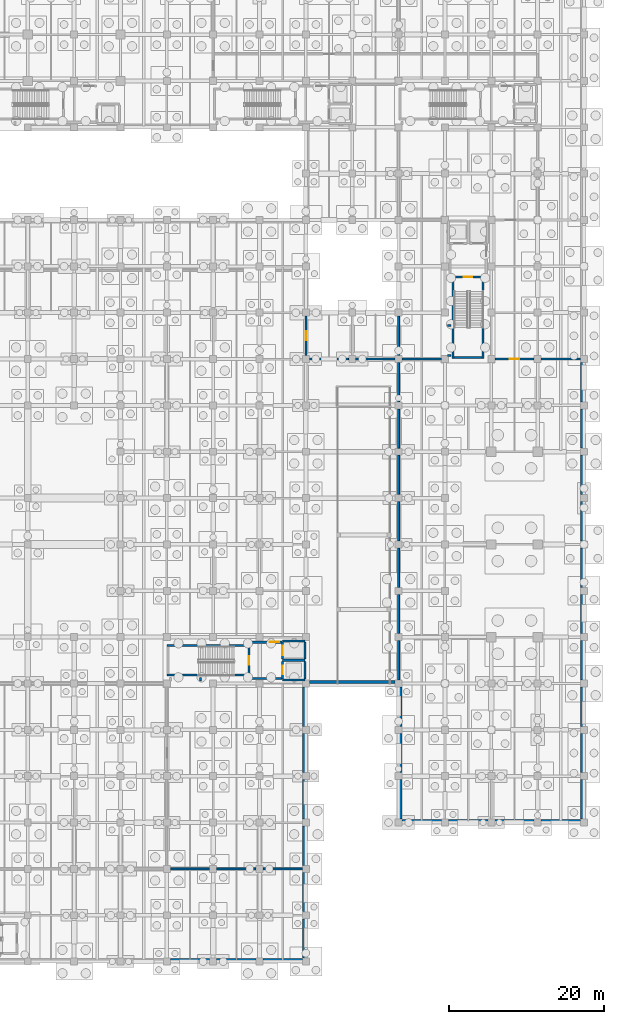
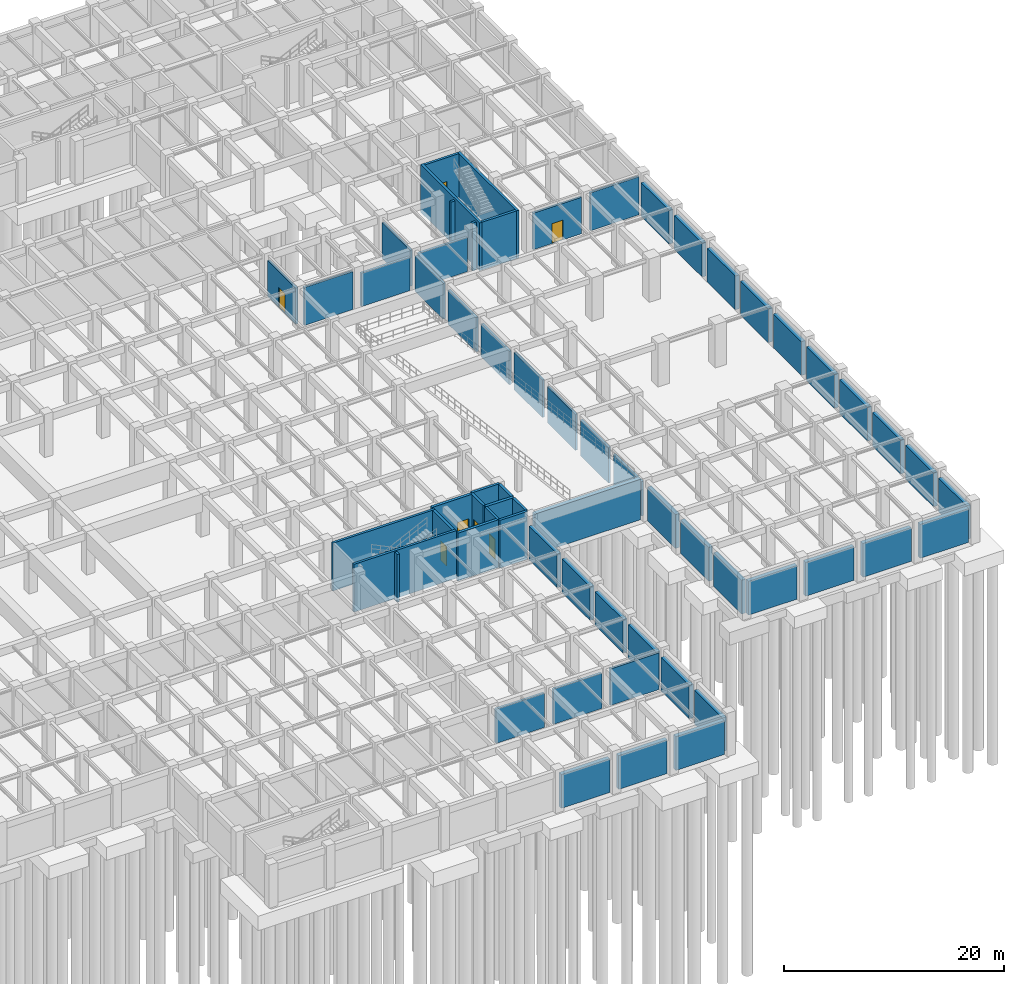
# One storey, part 43 of 54: 63 walls, 7 doors, 7 openings.
"""IFC4 building model written with IfcOpenShell, lengths in metres."""

from ifc_helpers import new_model, si_unit, direction, frame, frame_2d, origin, place, context, subcontext, project, spatial, rectangle, extrude, material, layer, layer_set, type_object, element, fill, save


model = new_model("IFC4")

# Units and contexts
model_context = context("Model", 3, precision=1e-05, world=origin(), true_north=direction((0.0, 1.0)))
body_context = subcontext(model_context, "Body", "Model", "MODEL_VIEW")
ifc_project = project(units=[si_unit("LENGTHUNIT", "METRE"), si_unit("AREAUNIT", "SQUARE_METRE"), si_unit("VOLUMEUNIT", "CUBIC_METRE"), si_unit("PLANEANGLEUNIT", "RADIAN"), si_unit("MASSUNIT", "GRAM", prefix="KILO"), si_unit("THERMODYNAMICTEMPERATUREUNIT", "KELVIN"), si_unit("POWERUNIT", "WATT")], contexts=[model_context])

# Site, building, storey
site_placement = place(None, origin())
site = spatial("IfcSite", under=ifc_project, at=site_placement, CompositionType="ELEMENT")
building_placement = place(site_placement, origin())
building = spatial("IfcBuilding", under=site, at=building_placement, Name="Phaisarnlok Congress Hotel", CompositionType="ELEMENT")
storey_placement = place(building_placement, frame((0.0, 0.0, -4.800048828125)))
storey = spatial("IfcBuildingStorey", under=building, at=storey_placement, Name="B01", CompositionType="ELEMENT", Elevation=-4.800048828125)

# Walls
ifc_material_1 = material(Name="Concrete C40/50", Category="concrete")
ifc_layer_1 = layer(ifc_material_1, 0.419921875, Name="Concrete C40/50")
ifc_layer_set_1 = layer_set([ifc_layer_1], Name="Concrete C40/50")
wall_type_1 = type_object("IfcWallType", Name="WL-EXT-420", PredefinedType="SOLIDWALL", material=ifc_layer_set_1)
for number, where, z_axis, x_axis, name in (
    (1, (126.455078125, 0.2099609375, 0.0), (0.0, 0.0, 1.0), (1.0, 0.0, 0.0), "Exterior wall EW-08 (B01)"),
    (2, (132.455078125, 0.2099609375, 0.0), (0.0, 0.0, 1.0), (1.0, 0.0, 0.0), "Exterior wall EW-08 (B01)"),
    (3, (138.455078125, 0.2099609375, 0.0), (0.0, 0.0, 1.0), (1.0, 0.0, 0.0), "Exterior wall EW-08 (B01)"),
    (4, (143.7900390625, 0.455078125, 0.0), (0.0, 0.0, 1.0), (0.0, 1.0, 0.0), "Exterior wall EW-08 (B01)"),
    (5, (143.7900390625, 6.455078125, 0.0), (0.0, 0.0, 1.0), (0.0, 1.0, 0.0), "Exterior wall EW-08 (B01)"),
    (6, (143.7900390625, 12.455078125, 0.0), (0.0, 0.0, 1.0), (0.0, 1.0, 0.0), "Exterior wall EW-08 (B01)"),
    (7, (143.7900390625, 18.455078125, 0.0), (0.0, 0.0, 1.0), (0.0, 1.0, 0.0), "Exterior wall EW-08 (B01)"),
    (8, (143.7900390625, 24.455078125, 0.0), (0.0, 0.0, 1.0), (0.0, 1.0, 0.0), "Exterior wall EW-08 (B01)"),
    (9, (143.7900390625, 30.455078125, 0.0), (0.0, 0.0, 1.0), (0.0, 1.0, 0.0), "Exterior wall EW-08 (B01)"),
):
    element("IfcWall", number, at=place(storey_placement, frame(where, z_axis=z_axis, x_axis=x_axis)), inside=storey, type_object=wall_type_1, Name=name, PredefinedType="SOLIDWALL", context=body_context, shape_type="SweptSolid", body=[
        extrude(rectangle(XDim=5.08984375, YDim=0.419921875, at=frame_2d((2.544921875, 0.0))), origin(), (0.0, 0.0, 1.0), 3.75),
    ])
wall_1_placement = place(storey_placement, frame((144.455078125, 36.2099609375, 0.0), z_axis=(0.0, 0.0, 1.0), x_axis=(1.0, 0.0, 0.0)))
element("IfcWall", 10, at=wall_1_placement, inside=storey, type_object=wall_type_1, Name="Exterior wall EW-08 (B01)", PredefinedType="SOLIDWALL", context=body_context, shape_type="SweptSolid", body=[
    extrude(rectangle(XDim=11.08984375, YDim=0.419921875, at=frame_2d((5.544921875, 0.0))), origin(), (0.0, 0.0, 1.0), 4.5),
])
for number, where, z_axis, x_axis, name in (
    (11, (156.2099609375, 35.544921875, 0.0), (0.0, 0.0, 1.0), (0.0, -1.0, 0.0), "Exterior wall EW-08 (B01)"),
    (12, (156.2099609375, 29.544921875, 0.0), (0.0, 0.0, 1.0), (0.0, -1.0, 0.0), "Exterior wall EW-08 (B01)"),
    (13, (156.2099609375, 23.544921875, 0.0), (0.0, 0.0, 1.0), (0.0, -1.0, 0.0), "Exterior wall EW-08 (B01)"),
    (14, (156.455078125, 18.2099609375, 0.0), (0.0, 0.0, 1.0), (1.0, 0.0, 0.0), "Exterior wall EW-08 (B01)"),
    (15, (162.455078125, 18.2099609375, 0.0), (0.0, 0.0, 1.0), (1.0, 0.0, 0.0), "Exterior wall EW-08 (B01)"),
    (16, (168.455078125, 18.2099609375, 0.0), (0.0, 0.0, 1.0), (1.0, 0.0, 0.0), "Exterior wall EW-08 (B01)"),
    (17, (174.455078125, 18.2099609375, 0.0), (0.0, 0.0, 1.0), (1.0, 0.0, 0.0), "Exterior wall EW-08 (B01)"),
    (18, (179.7900390625, 18.455078125, 0.0), (0.0, 0.0, 1.0), (0.0, 1.0, 0.0), "Exterior wall EW-08 (B01)"),
    (19, (179.7900390625, 24.455078125, 0.0), (0.0, 0.0, 1.0), (0.0, 1.0, 0.0), "Exterior wall EW-08 (B01)"),
    (20, (179.7900390625, 30.455078125, 0.0), (0.0, 0.0, 1.0), (0.0, 1.0, 0.0), "Exterior wall EW-08 (B01)"),
    (21, (179.7900390625, 36.455078125, 0.0), (0.0, 0.0, 1.0), (0.0, 1.0, 0.0), "Exterior wall EW-08 (B01)"),
    (22, (179.7900390625, 42.455078125, 0.0), (0.0, 0.0, 1.0), (0.0, 1.0, 0.0), "Exterior wall EW-08 (B01)"),
    (23, (179.7900390625, 48.455078125, 0.0), (0.0, 0.0, 1.0), (0.0, 1.0, 0.0), "Exterior wall EW-08 (B01)"),
    (24, (179.7900390625, 54.455078125, 0.0), (0.0, 0.0, 1.0), (0.0, 1.0, 0.0), "Exterior wall EW-08 (B01)"),
    (25, (179.7900390625, 60.455078125, 0.0), (0.0, 0.0, 1.0), (0.0, 1.0, 0.0), "Exterior wall EW-08 (B01)"),
    (26, (179.7900390625, 66.455078125, 0.0), (0.0, 0.0, 1.0), (0.0, 1.0, 0.0), "Exterior wall EW-08 (B01)"),
    (27, (179.7900390625, 72.455078125, 0.0), (0.0, 0.0, 1.0), (0.0, 1.0, 0.0), "Exterior wall EW-08 (B01)"),
):
    element("IfcWall", number, at=place(storey_placement, frame(where, z_axis=z_axis, x_axis=x_axis)), inside=storey, type_object=wall_type_1, Name=name, PredefinedType="SOLIDWALL", context=body_context, shape_type="SweptSolid", body=[
        extrude(rectangle(XDim=5.08984375, YDim=0.419921875, at=frame_2d((2.544921875, 0.0))), origin(), (0.0, 0.0, 1.0), 3.75),
    ])

# Wall, opening, door
ifc_layer_2 = layer(ifc_material_1, 0.239990234375, Name="Concrete C40/50")
ifc_layer_set_2 = layer_set([ifc_layer_2], Name="Concrete C40/50")
wall_type_2 = type_object("IfcWallType", Name="WL-INT-240", PredefinedType="PARTITIONING", material=ifc_layer_set_2)
wall_2_placement = place(storey_placement, frame((144.0, 78.455078125, 0.0), z_axis=(0.0, 0.0, 1.0), x_axis=(0.0, 1.0, 0.0)))
wall_2 = element("IfcWall", 28, at=wall_2_placement, inside=storey, type_object=wall_type_2, Name="Interior partition wall IW-01 (B01)", PredefinedType="PARTITIONING", context=body_context, shape_type="SweptSolid", body=[
    extrude(rectangle(XDim=5.08984375, YDim=0.239990234375, at=frame_2d((2.544921875, 0.0))), origin(), (0.0, 0.0, 1.0), 4.0),
])
opening_1_placement = place(wall_2_placement, frame((1.945068359375, 0.0, 0.0)))
opening_1 = element("IfcOpeningElement", 29, at=opening_1_placement, cuts=wall_2, Name="Opening D-0018", PredefinedType="OPENING", context=body_context, shape_type="SweptSolid", body=[
    extrude(rectangle(XDim=1.199951171875, YDim=2.199951171875, at=frame_2d((0.60009765625, 1.10009765625))), frame((0.0, 0.1298828125, 0.0), z_axis=(0.0, -1.0, 0.0), x_axis=(1.0, 0.0, 0.0)), (0.0, 0.0, 1.0), 0.260009765625),
])
ifc_material_2 = material(Name="Fire-Rated Steel Frame & Timber Leaf", Category="steel")
door_type_1 = type_object("IfcDoorType", Name="DR-FD60-1200", OperationType="NOTDEFINED", PredefinedType="DOOR", material=ifc_material_2)
door_1_placement = place(opening_1_placement, origin())
door_1 = element("IfcDoor", 30, at=door_1_placement, inside=storey, type_object=door_type_1, Name="Interior door D-0018 (B01)", OperationType="SINGLE_SWING_LEFT", OverallHeight=2.199951171875, OverallWidth=1.199951171875, PredefinedType="DOOR", context=body_context, shape_type="SweptSolid", body=[
    extrude(rectangle(XDim=1.199951171875, YDim=2.199951171875, at=frame_2d((0.60009765625, 1.10009765625))), frame((0.0, 0.02490234375, 0.0), z_axis=(0.0, -1.0, 0.0), x_axis=(1.0, 0.0, 0.0)), (0.0, 0.0, 1.0), 0.050048828125),
])
fill(opening_1, door_1)

# Walls
wall_3_placement = place(storey_placement, frame((156.0, 36.455078125, 0.0), z_axis=(0.0, 0.0, 1.0), x_axis=(0.0, 1.0, 0.0)))
element("IfcWall", 31, at=wall_3_placement, inside=storey, type_object=wall_type_2, Name="Interior partition wall IW-01 (B01)", PredefinedType="PARTITIONING", context=body_context, shape_type="SweptSolid", body=[
    extrude(rectangle(XDim=5.08984375, YDim=0.239990234375, at=frame_2d((2.544921875, 0.0))), origin(), (0.0, 0.0, 1.0), 3.800048828125),
])
wall_4_placement = place(storey_placement, frame((156.0, 42.455078125, 0.0), z_axis=(0.0, 0.0, 1.0), x_axis=(0.0, 1.0, 0.0)))
element("IfcWall", 32, at=wall_4_placement, inside=storey, type_object=wall_type_2, Name="Interior partition wall IW-01 (B01)", PredefinedType="PARTITIONING", context=body_context, shape_type="SweptSolid", body=[
    extrude(rectangle(XDim=5.08984375, YDim=0.239990234375, at=frame_2d((2.544921875, 0.0))), origin(), (0.0, 0.0, 1.0), 3.949951171875),
])
wall_5_placement = place(storey_placement, frame((156.0, 48.455078125, 0.0), z_axis=(0.0, 0.0, 1.0), x_axis=(0.0, 1.0, 0.0)))
element("IfcWall", 33, at=wall_5_placement, inside=storey, type_object=wall_type_2, Name="Interior partition wall IW-01 (B01)", PredefinedType="PARTITIONING", context=body_context, shape_type="SweptSolid", body=[
    extrude(rectangle(XDim=5.08984375, YDim=0.239990234375, at=frame_2d((2.544921875, 0.0))), origin(), (0.0, 0.0, 1.0), 4.0),
])
wall_6_placement = place(storey_placement, frame((156.0, 54.455078125, 0.0), z_axis=(0.0, 0.0, 1.0), x_axis=(0.0, 1.0, 0.0)))
element("IfcWall", 34, at=wall_6_placement, inside=storey, type_object=wall_type_2, Name="Interior partition wall IW-01 (B01)", PredefinedType="PARTITIONING", context=body_context, shape_type="SweptSolid", body=[
    extrude(rectangle(XDim=5.08984375, YDim=0.239990234375, at=frame_2d((2.544921875, 0.0))), origin(), (0.0, 0.0, 1.0), 4.16015625),
])
wall_7_placement = place(storey_placement, frame((156.0, 60.455078125, 0.0), z_axis=(0.0, 0.0, 1.0), x_axis=(0.0, 1.0, 0.0)))
element("IfcWall", 35, at=wall_7_placement, inside=storey, type_object=wall_type_2, Name="Interior partition wall IW-01 (B01)", PredefinedType="PARTITIONING", context=body_context, shape_type="SweptSolid", body=[
    extrude(rectangle(XDim=5.08984375, YDim=0.239990234375, at=frame_2d((2.544921875, 0.0))), origin(), (0.0, 0.0, 1.0), 3.699951171875),
])
wall_8_placement = place(storey_placement, frame((156.0, 66.455078125, 0.0), z_axis=(0.0, 0.0, 1.0), x_axis=(0.0, 1.0, 0.0)))
element("IfcWall", 36, at=wall_8_placement, inside=storey, type_object=wall_type_2, Name="Interior partition wall IW-01 (B01)", PredefinedType="PARTITIONING", context=body_context, shape_type="SweptSolid", body=[
    extrude(rectangle(XDim=5.08984375, YDim=0.239990234375, at=frame_2d((2.544921875, 0.0))), origin(), (0.0, 0.0, 1.0), 3.800048828125),
])
wall_9_placement = place(storey_placement, frame((156.0, 72.455078125, 0.0), z_axis=(0.0, 0.0, 1.0), x_axis=(0.0, 1.0, 0.0)))
element("IfcWall", 37, at=wall_9_placement, inside=storey, type_object=wall_type_2, Name="Interior partition wall IW-01 (B01)", PredefinedType="PARTITIONING", context=body_context, shape_type="SweptSolid", body=[
    extrude(rectangle(XDim=5.08984375, YDim=0.239990234375, at=frame_2d((2.544921875, 0.0))), origin(), (0.0, 0.0, 1.0), 3.949951171875),
])
wall_10_placement = place(storey_placement, frame((156.0, 78.455078125, 0.0), z_axis=(0.0, 0.0, 1.0), x_axis=(0.0, 1.0, 0.0)))
element("IfcWall", 38, at=wall_10_placement, inside=storey, type_object=wall_type_2, Name="Interior partition wall IW-01 (B01)", PredefinedType="PARTITIONING", context=body_context, shape_type="SweptSolid", body=[
    extrude(rectangle(XDim=5.08984375, YDim=0.239990234375, at=frame_2d((2.544921875, 0.0))), origin(), (0.0, 0.0, 1.0), 4.0),
])
wall_11_placement = place(storey_placement, frame((126.455078125, 12.0, 0.0), z_axis=(0.0, 0.0, 1.0), x_axis=(1.0, 0.0, 0.0)))
element("IfcWall", 39, at=wall_11_placement, inside=storey, type_object=wall_type_2, Name="Interior partition wall IW-01 (B01)", PredefinedType="PARTITIONING", context=body_context, shape_type="SweptSolid", body=[
    extrude(rectangle(XDim=5.08984375, YDim=0.239990234375, at=frame_2d((2.544921875, 0.0))), origin(), (0.0, 0.0, 1.0), 3.800048828125),
])
wall_12_placement = place(storey_placement, frame((132.455078125, 12.0, 0.0), z_axis=(0.0, 0.0, 1.0), x_axis=(1.0, 0.0, 0.0)))
element("IfcWall", 40, at=wall_12_placement, inside=storey, type_object=wall_type_2, Name="Interior partition wall IW-01 (B01)", PredefinedType="PARTITIONING", context=body_context, shape_type="SweptSolid", body=[
    extrude(rectangle(XDim=5.08984375, YDim=0.239990234375, at=frame_2d((2.544921875, 0.0))), origin(), (0.0, 0.0, 1.0), 3.900146484375),
])
wall_13_placement = place(storey_placement, frame((138.455078125, 12.0, 0.0), z_axis=(0.0, 0.0, 1.0), x_axis=(1.0, 0.0, 0.0)))
element("IfcWall", 41, at=wall_13_placement, inside=storey, type_object=wall_type_2, Name="Interior partition wall IW-01 (B01)", PredefinedType="PARTITIONING", context=body_context, shape_type="SweptSolid", body=[
    extrude(rectangle(XDim=5.08984375, YDim=0.239990234375, at=frame_2d((2.544921875, 0.0))), origin(), (0.0, 0.0, 1.0), 4.050048828125),
])
wall_14_placement = place(storey_placement, frame((144.455078125, 78.0, 0.0), z_axis=(0.0, 0.0, 1.0), x_axis=(1.0, 0.0, 0.0)))
element("IfcWall", 42, at=wall_14_placement, inside=storey, type_object=wall_type_2, Name="Interior partition wall IW-01 (B01)", PredefinedType="PARTITIONING", context=body_context, shape_type="SweptSolid", body=[
    extrude(rectangle(XDim=5.08984375, YDim=0.239990234375, at=frame_2d((2.544921875, 0.0))), origin(), (0.0, 0.0, 1.0), 4.2099609375),
])
wall_15_placement = place(storey_placement, frame((150.455078125, 78.0, 0.0), z_axis=(0.0, 0.0, 1.0), x_axis=(1.0, 0.0, 0.0)))
element("IfcWall", 43, at=wall_15_placement, inside=storey, type_object=wall_type_2, Name="Interior partition wall IW-01 (B01)", PredefinedType="PARTITIONING", context=body_context, shape_type="SweptSolid", body=[
    extrude(rectangle(XDim=5.08984375, YDim=0.239990234375, at=frame_2d((2.544921875, 0.0))), origin(), (0.0, 0.0, 1.0), 3.699951171875),
])
wall_16_placement = place(storey_placement, frame((156.455078125, 78.0, 0.0), z_axis=(0.0, 0.0, 1.0), x_axis=(1.0, 0.0, 0.0)))
element("IfcWall", 44, at=wall_16_placement, inside=storey, type_object=wall_type_2, Name="Interior partition wall IW-01 (B01)", PredefinedType="PARTITIONING", context=body_context, shape_type="SweptSolid", body=[
    extrude(rectangle(XDim=5.08984375, YDim=0.239990234375, at=frame_2d((2.544921875, 0.0))), origin(), (0.0, 0.0, 1.0), 3.800048828125),
])

# Wall, opening, door
wall_17_placement = place(storey_placement, frame((168.455078125, 78.0, 0.0), z_axis=(0.0, 0.0, 1.0), x_axis=(1.0, 0.0, 0.0)))
wall_17 = element("IfcWall", 45, at=wall_17_placement, inside=storey, type_object=wall_type_2, Name="Interior partition wall IW-01 (B01)", PredefinedType="PARTITIONING", context=body_context, shape_type="SweptSolid", body=[
    extrude(rectangle(XDim=5.08984375, YDim=0.239990234375, at=frame_2d((2.544921875, 0.0))), origin(), (0.0, 0.0, 1.0), 4.050048828125),
])
opening_2_placement = place(wall_17_placement, frame((1.945068359375, 0.0, 0.0)))
opening_2 = element("IfcOpeningElement", 46, at=opening_2_placement, cuts=wall_17, Name="Opening D-0022", PredefinedType="OPENING", context=body_context, shape_type="SweptSolid", body=[
    extrude(rectangle(XDim=1.199951171875, YDim=2.199951171875, at=frame_2d((0.60009765625, 1.10009765625))), frame((0.0, 0.1298828125, 0.0), z_axis=(0.0, -1.0, 0.0), x_axis=(1.0, 0.0, 0.0)), (0.0, 0.0, 1.0), 0.260009765625),
])
door_2_placement = place(opening_2_placement, origin())
door_2 = element("IfcDoor", 47, at=door_2_placement, inside=storey, type_object=door_type_1, Name="Interior door D-0022 (B01)", OperationType="SINGLE_SWING_LEFT", OverallHeight=2.199951171875, OverallWidth=1.199951171875, PredefinedType="DOOR", context=body_context, shape_type="SweptSolid", body=[
    extrude(rectangle(XDim=1.199951171875, YDim=2.199951171875, at=frame_2d((0.60009765625, 1.10009765625))), frame((0.0, 0.02490234375, 0.0), z_axis=(0.0, -1.0, 0.0), x_axis=(1.0, 0.0, 0.0)), (0.0, 0.0, 1.0), 0.050048828125),
])
fill(opening_2, door_2)

# Walls
wall_18_placement = place(storey_placement, frame((174.455078125, 78.0, 0.0), z_axis=(0.0, 0.0, 1.0), x_axis=(1.0, 0.0, 0.0)))
element("IfcWall", 48, at=wall_18_placement, inside=storey, type_object=wall_type_2, Name="Interior partition wall IW-01 (B01)", PredefinedType="PARTITIONING", context=body_context, shape_type="SweptSolid", body=[
    extrude(rectangle(XDim=5.08984375, YDim=0.239990234375, at=frame_2d((2.544921875, 0.0))), origin(), (0.0, 0.0, 1.0), 4.2099609375),
])
ifc_material_3 = material(Name="Concrete C50/60", Category="concrete")
ifc_layer_3 = layer(ifc_material_3, 0.260009765625, Name="Concrete C50/60")
ifc_layer_set_3 = layer_set([ifc_layer_3], Name="Concrete C50/60")
wall_type_3 = type_object("IfcWallType", Name="WL-SHR-260", PredefinedType="SHEAR", material=ifc_layer_set_3)
for number, where, z_axis, x_axis, name in (
    (49, (163.070068359375, 78.0400390625, -0.5), (0.0, 0.0, 1.0), (0.0, 1.0, 0.0), "Stair shaft shear wall SW-04 (CORE-3 B01)"),
    (50, (166.929931640625, 78.0400390625, -0.5), (0.0, 0.0, 1.0), (0.0, 1.0, 0.0), "Stair shaft shear wall SW-04 (CORE-3 B01)"),
):
    element("IfcWall", number, at=place(storey_placement, frame(where, z_axis=z_axis, x_axis=x_axis)), inside=storey, type_object=wall_type_3, Name=name, PredefinedType="SHEAR", context=body_context, shape_type="SweptSolid", body=[
        extrude(rectangle(XDim=10.719970703125, YDim=0.260009765625, at=frame_2d((5.35986328125, 0.0))), origin(), (0.0, 0.0, 1.0), 5.300048828125),
    ])
wall_19_placement = place(storey_placement, frame((163.199951171875, 78.169921875, -0.5), z_axis=(0.0, 0.0, 1.0), x_axis=(1.0, 0.0, 0.0)))
element("IfcWall", 51, at=wall_19_placement, inside=storey, type_object=wall_type_3, Name="Stair shaft shear wall SW-04 (CORE-3 B01)", PredefinedType="SHEAR", context=body_context, shape_type="SweptSolid", body=[
    extrude(rectangle(XDim=3.60009765625, YDim=0.260009765625, at=frame_2d((1.800048828125, 0.0))), origin(), (0.0, 0.0, 1.0), 5.300048828125),
])

# Wall, opening, door
wall_20_placement = place(storey_placement, frame((163.199951171875, 88.6298828125, -0.5), z_axis=(0.0, 0.0, 1.0), x_axis=(1.0, 0.0, 0.0)))
wall_20 = element("IfcWall", 52, at=wall_20_placement, inside=storey, type_object=wall_type_3, Name="Stair shaft shear wall SW-04 (CORE-3 B01)", PredefinedType="SHEAR", context=body_context, shape_type="SweptSolid", body=[
    extrude(rectangle(XDim=3.60009765625, YDim=0.260009765625, at=frame_2d((1.800048828125, 0.0))), origin(), (0.0, 0.0, 1.0), 5.300048828125),
])
opening_3_placement = place(wall_20_placement, frame((1.25, 0.0, 0.5)))
opening_3 = element("IfcOpeningElement", 53, at=opening_3_placement, cuts=wall_20, Name="Opening FD-061", PredefinedType="OPENING", context=body_context, shape_type="SweptSolid", body=[
    extrude(rectangle(XDim=1.10009765625, YDim=2.14990234375, at=frame_2d((0.550048828125, 1.074951171875))), frame((0.0, 0.14013671875, 0.0), z_axis=(0.0, -1.0, 0.0), x_axis=(1.0, 0.0, 0.0)), (0.0, 0.0, 1.0), 0.280029296875),
])
door_type_2 = type_object("IfcDoorType", Name="DR-FD60-1100", OperationType="NOTDEFINED", PredefinedType="DOOR", material=ifc_material_2)
door_3_placement = place(opening_3_placement, origin())
door_3 = element("IfcDoor", 54, at=door_3_placement, inside=storey, type_object=door_type_2, Name="Stair enclosure fire door FD-061 (B01)", OperationType="SINGLE_SWING_RIGHT", OverallHeight=2.14990234375, OverallWidth=1.10009765625, PredefinedType="DOOR", context=body_context, shape_type="SweptSolid", body=[
    extrude(rectangle(XDim=1.10009765625, YDim=2.14990234375, at=frame_2d((0.550048828125, 1.074951171875))), frame((0.0, 0.02490234375, 0.0), z_axis=(0.0, -1.0, 0.0), x_axis=(1.0, 0.0, 0.0)), (0.0, 0.0, 1.0), 0.050048828125),
])
fill(opening_3, door_3)

# Walls
for number, where, z_axis, x_axis, name in (
    (55, (162.330078125, 78.469970703125, -0.5), (0.0, 0.0, 1.0), (1.0, 0.0, 0.0), "Service riser shaft wall SW-04 (CORE-3 B01)"),
    (56, (162.330078125, 82.330078125, -0.5), (0.0, 0.0, 1.0), (1.0, 0.0, 0.0), "Service riser shaft wall SW-04 (CORE-3 B01)"),
):
    element("IfcWall", number, at=place(storey_placement, frame(where, z_axis=z_axis, x_axis=x_axis)), inside=storey, type_object=wall_type_3, Name=name, PredefinedType="SHEAR", context=body_context, shape_type="SweptSolid", body=[
        extrude(rectangle(XDim=0.43994140625, YDim=0.260009765625, at=frame_2d((0.219970703125, 0.0))), origin(), (0.0, 0.0, 1.0), 5.300048828125),
    ])
for number, where, z_axis, x_axis, name in (
    (57, (126.0400390625, 37.070068359375, -0.5), (0.0, 0.0, 1.0), (1.0, 0.0, 0.0), "Stair shaft shear wall SW-04 (CORE-6 B01)"),
    (58, (126.0400390625, 40.929931640625, -0.5), (0.0, 0.0, 1.0), (1.0, 0.0, 0.0), "Stair shaft shear wall SW-04 (CORE-6 B01)"),
):
    element("IfcWall", number, at=place(storey_placement, frame(where, z_axis=z_axis, x_axis=x_axis)), inside=storey, type_object=wall_type_3, Name=name, PredefinedType="SHEAR", context=body_context, shape_type="SweptSolid", body=[
        extrude(rectangle(XDim=10.719970703125, YDim=0.260009765625, at=frame_2d((5.35986328125, 0.0))), origin(), (0.0, 0.0, 1.0), 5.300048828125),
    ])

# Wall, opening, door
wall_21_placement = place(storey_placement, frame((136.6298828125, 37.199951171875, -0.5), z_axis=(0.0, 0.0, 1.0), x_axis=(0.0, 1.0, 0.0)))
wall_21 = element("IfcWall", 59, at=wall_21_placement, inside=storey, type_object=wall_type_3, Name="Stair shaft shear wall SW-04 (CORE-6 B01)", PredefinedType="SHEAR", context=body_context, shape_type="SweptSolid", body=[
    extrude(rectangle(XDim=3.60009765625, YDim=0.260009765625, at=frame_2d((1.800048828125, 0.0))), origin(), (0.0, 0.0, 1.0), 5.300048828125),
])
opening_4_placement = place(wall_21_placement, frame((1.25, 0.0, 0.5)))
opening_4 = element("IfcOpeningElement", 60, at=opening_4_placement, cuts=wall_21, Name="Opening FD-133", PredefinedType="OPENING", context=body_context, shape_type="SweptSolid", body=[
    extrude(rectangle(XDim=1.10009765625, YDim=2.14990234375, at=frame_2d((0.550048828125, 1.074951171875))), frame((0.0, 0.14013671875, 0.0), z_axis=(0.0, -1.0, 0.0), x_axis=(1.0, 0.0, 0.0)), (0.0, 0.0, 1.0), 0.280029296875),
])
door_4_placement = place(opening_4_placement, origin())
door_4 = element("IfcDoor", 61, at=door_4_placement, inside=storey, type_object=door_type_2, Name="Stair enclosure fire door FD-133 (B01)", OperationType="SINGLE_SWING_RIGHT", OverallHeight=2.14990234375, OverallWidth=1.10009765625, PredefinedType="DOOR", context=body_context, shape_type="SweptSolid", body=[
    extrude(rectangle(XDim=1.10009765625, YDim=2.14990234375, at=frame_2d((0.550048828125, 1.074951171875))), frame((0.0, 0.02490234375, 0.0), z_axis=(0.0, -1.0, 0.0), x_axis=(1.0, 0.0, 0.0)), (0.0, 0.0, 1.0), 0.050048828125),
])
fill(opening_4, door_4)

# Walls
wall_22_placement = place(storey_placement, frame((140.969970703125, 36.469970703125, -0.5), z_axis=(0.0, 0.0, 1.0), x_axis=(1.0, 0.0, 0.0)))
element("IfcWall", 62, at=wall_22_placement, inside=storey, type_object=wall_type_3, Name="Lift shaft shear wall SW-04 (LF-CP2 B01)", PredefinedType="SHEAR", context=body_context, shape_type="SweptSolid", body=[
    extrude(rectangle(XDim=2.909912109375, YDim=0.260009765625, at=frame_2d((1.455078125, 0.0))), origin(), (0.0, 0.0, 1.0), 5.300048828125),
])
wall_23_placement = place(storey_placement, frame((143.8798828125, 36.60009765625, -0.5), z_axis=(0.0, 0.0, 1.0), x_axis=(0.0, 1.0, 0.0)))
element("IfcWall", 63, at=wall_23_placement, inside=storey, type_object=wall_type_3, Name="Lift shaft shear wall SW-04 (LF-CP2 B01)", PredefinedType="SHEAR", context=body_context, shape_type="SweptSolid", body=[
    extrude(rectangle(XDim=2.25, YDim=0.260009765625, at=frame_2d((1.125, 0.0))), origin(), (0.0, 0.0, 1.0), 5.300048828125),
])

# Wall, opening, door
wall_24_placement = place(storey_placement, frame((140.969970703125, 36.60009765625, -0.5), z_axis=(0.0, 0.0, 1.0), x_axis=(0.0, 1.0, 0.0)))
wall_24 = element("IfcWall", 64, at=wall_24_placement, inside=storey, type_object=wall_type_3, Name="Lift shaft front wall SW-04 (LF-CP2 B01)", PredefinedType="SHEAR", context=body_context, shape_type="SweptSolid", body=[
    extrude(rectangle(XDim=2.25, YDim=0.260009765625, at=frame_2d((1.125, 0.0))), origin(), (0.0, 0.0, 1.0), 5.300048828125),
])
opening_5_placement = place(wall_24_placement, frame((0.574951171875, 0.0, 0.5)))
opening_5 = element("IfcOpeningElement", 65, at=opening_5_placement, cuts=wall_24, Name="Opening LD-118", PredefinedType="OPENING", context=body_context, shape_type="SweptSolid", body=[
    extrude(rectangle(XDim=1.10009765625, YDim=2.199951171875, at=frame_2d((0.550048828125, 1.10009765625))), frame((0.0, 0.14013671875, 0.0), z_axis=(0.0, -1.0, 0.0), x_axis=(1.0, 0.0, 0.0)), (0.0, 0.0, 1.0), 0.280029296875),
])
ifc_material_4 = material(Name="Brushed Stainless Steel Grade 304", Category="steel")
door_type_3 = type_object("IfcDoorType", Name="DR-LD-1100", OperationType="DOUBLE_DOOR_SLIDING", PredefinedType="DOOR", material=ifc_material_4)
door_5_placement = place(opening_5_placement, origin())
door_5 = element("IfcDoor", 66, at=door_5_placement, inside=storey, type_object=door_type_3, Name="Lift landing sliding door LD-118 (LF-CP2 B01)", OperationType="DOUBLE_DOOR_SLIDING", OverallHeight=2.199951171875, OverallWidth=1.10009765625, PredefinedType="DOOR", context=body_context, shape_type="SweptSolid", body=[
    extrude(rectangle(XDim=1.10009765625, YDim=2.199951171875, at=frame_2d((0.550048828125, 1.10009765625))), frame((0.0, 0.02490234375, 0.0), z_axis=(0.0, -1.0, 0.0), x_axis=(1.0, 0.0, 0.0)), (0.0, 0.0, 1.0), 0.050048828125),
])
fill(opening_5, door_5)

# Walls
wall_25_placement = place(storey_placement, frame((140.969970703125, 41.530029296875, -0.5), z_axis=(0.0, 0.0, 1.0), x_axis=(1.0, 0.0, 0.0)))
element("IfcWall", 67, at=wall_25_placement, inside=storey, type_object=wall_type_3, Name="Lift shaft shear wall SW-04 (LF-SV2 B01)", PredefinedType="SHEAR", context=body_context, shape_type="SweptSolid", body=[
    extrude(rectangle(XDim=2.909912109375, YDim=0.260009765625, at=frame_2d((1.455078125, 0.0))), origin(), (0.0, 0.0, 1.0), 5.300048828125),
])
wall_26_placement = place(storey_placement, frame((143.8798828125, 39.14990234375, -0.5), z_axis=(0.0, 0.0, 1.0), x_axis=(0.0, 1.0, 0.0)))
element("IfcWall", 68, at=wall_26_placement, inside=storey, type_object=wall_type_3, Name="Lift shaft shear wall SW-04 (LF-SV2 B01)", PredefinedType="SHEAR", context=body_context, shape_type="SweptSolid", body=[
    extrude(rectangle(XDim=2.25, YDim=0.260009765625, at=frame_2d((1.125, 0.0))), origin(), (0.0, 0.0, 1.0), 5.300048828125),
])

# Wall, opening, door
wall_27_placement = place(storey_placement, frame((140.969970703125, 39.14990234375, -0.5), z_axis=(0.0, 0.0, 1.0), x_axis=(0.0, 1.0, 0.0)))
wall_27 = element("IfcWall", 69, at=wall_27_placement, inside=storey, type_object=wall_type_3, Name="Lift shaft front wall SW-04 (LF-SV2 B01)", PredefinedType="SHEAR", context=body_context, shape_type="SweptSolid", body=[
    extrude(rectangle(XDim=2.25, YDim=0.260009765625, at=frame_2d((1.125, 0.0))), origin(), (0.0, 0.0, 1.0), 5.300048828125),
])
opening_6_placement = place(wall_27_placement, frame((0.52490234375, 0.0, 0.5)))
opening_6 = element("IfcOpeningElement", 70, at=opening_6_placement, cuts=wall_27, Name="Opening LD-124", PredefinedType="OPENING", context=body_context, shape_type="SweptSolid", body=[
    extrude(rectangle(XDim=1.199951171875, YDim=2.25, at=frame_2d((0.60009765625, 1.125))), frame((0.0, 0.14013671875, 0.0), z_axis=(0.0, -1.0, 0.0), x_axis=(1.0, 0.0, 0.0)), (0.0, 0.0, 1.0), 0.280029296875),
])
door_type_4 = type_object("IfcDoorType", Name="DR-LD-1200", OperationType="DOUBLE_DOOR_SLIDING", PredefinedType="DOOR", material=ifc_material_4)
door_6_placement = place(opening_6_placement, origin())
door_6 = element("IfcDoor", 71, at=door_6_placement, inside=storey, type_object=door_type_4, Name="Lift landing sliding door LD-124 (LF-SV2 B01)", OperationType="DOUBLE_DOOR_SLIDING", OverallHeight=2.25, OverallWidth=1.199951171875, PredefinedType="DOOR", context=body_context, shape_type="SweptSolid", body=[
    extrude(rectangle(XDim=1.199951171875, YDim=2.25, at=frame_2d((0.60009765625, 1.125))), frame((0.0, 0.02490234375, 0.0), z_axis=(0.0, -1.0, 0.0), x_axis=(1.0, 0.0, 0.0)), (0.0, 0.0, 1.0), 0.050048828125),
])
fill(opening_6, door_6)

# Walls
wall_28_placement = place(storey_placement, frame((130.330078125, 36.330078125, -0.5), z_axis=(0.0, 0.0, 1.0), x_axis=(0.0, 1.0, 0.0)))
element("IfcWall", 72, at=wall_28_placement, inside=storey, type_object=wall_type_3, Name="Service riser shaft wall SW-04 (CORE-6 B01)", PredefinedType="SHEAR", context=body_context, shape_type="SweptSolid", body=[
    extrude(rectangle(XDim=0.43994140625, YDim=0.260009765625, at=frame_2d((0.219970703125, 0.0))), origin(), (0.0, 0.0, 1.0), 5.300048828125),
])
ifc_layer_4 = layer(ifc_material_3, 0.300048828125, Name="Concrete C50/60")
ifc_layer_set_4 = layer_set([ifc_layer_4], Name="Concrete C50/60")
wall_type_4 = type_object("IfcWallType", Name="WL-SHR-300", PredefinedType="SHEAR", material=ifc_layer_set_4)
wall_29_placement = place(storey_placement, frame((140.969970703125, 39.0, -0.5), z_axis=(0.0, 0.0, 1.0), x_axis=(1.0, 0.0, 0.0)))
element("IfcWall", 73, at=wall_29_placement, inside=storey, type_object=wall_type_4, Name="Lift shaft divider shear wall SW-03 (LF-CP2 B01)", PredefinedType="SHEAR", context=body_context, shape_type="SweptSolid", body=[
    extrude(rectangle(XDim=2.909912109375, YDim=0.300048828125, at=frame_2d((1.455078125, 0.0))), origin(), (0.0, 0.0, 1.0), 5.300048828125),
])

# Wall, opening, door
wall_30_placement = place(storey_placement, frame((136.679931640625, 41.35009765625, -0.5), z_axis=(0.0, 0.0, 1.0), x_axis=(1.0, 0.0, 0.0)))
wall_30 = element("IfcWall", 74, at=wall_30_placement, inside=storey, type_object=wall_type_4, Name="Core lobby EI-120 wall SW-03 (CORE-6 B01)", PredefinedType="SHEAR", context=body_context, shape_type="SweptSolid", body=[
    extrude(rectangle(XDim=4.239990234375, YDim=0.300048828125, at=frame_2d((2.1201171875, 0.0))), origin(), (0.0, 0.0, 1.0), 5.300048828125),
])
opening_7_placement = place(wall_30_placement, frame((2.64990234375, 0.0, 0.5)))
opening_7 = element("IfcOpeningElement", 75, at=opening_7_placement, cuts=wall_30, Name="Opening FD-139", PredefinedType="OPENING", context=body_context, shape_type="SweptSolid", body=[
    extrude(rectangle(XDim=1.199951171875, YDim=2.199951171875, at=frame_2d((0.60009765625, 1.10009765625))), frame((0.0, 0.16015625, 0.0), z_axis=(0.0, -1.0, 0.0), x_axis=(1.0, 0.0, 0.0)), (0.0, 0.0, 1.0), 0.320068359375),
])
door_7_placement = place(opening_7_placement, origin())
door_7 = element("IfcDoor", 76, at=door_7_placement, inside=storey, type_object=door_type_1, Name="Firefighting lobby entrance door FD-139 (CORE-6 B01)", OperationType="SINGLE_SWING_RIGHT", OverallHeight=2.199951171875, OverallWidth=1.199951171875, PredefinedType="DOOR", context=body_context, shape_type="SweptSolid", body=[
    extrude(rectangle(XDim=1.199951171875, YDim=2.199951171875, at=frame_2d((0.60009765625, 1.10009765625))), frame((0.0, 0.02490234375, 0.0), z_axis=(0.0, -1.0, 0.0), x_axis=(1.0, 0.0, 0.0)), (0.0, 0.0, 1.0), 0.050048828125),
])
fill(opening_7, door_7)

# Wall
wall_31_placement = place(storey_placement, frame((136.679931640625, 36.64990234375, -0.5), z_axis=(0.0, 0.0, 1.0), x_axis=(1.0, 0.0, 0.0)))
element("IfcWall", 77, at=wall_31_placement, inside=storey, type_object=wall_type_4, Name="Core lobby EI-120 wall SW-03 (CORE-6 B01)", PredefinedType="SHEAR", context=body_context, shape_type="SweptSolid", body=[
    extrude(rectangle(XDim=4.239990234375, YDim=0.300048828125, at=frame_2d((2.1201171875, 0.0))), origin(), (0.0, 0.0, 1.0), 5.300048828125),
])

save(model, "model.ifc")
